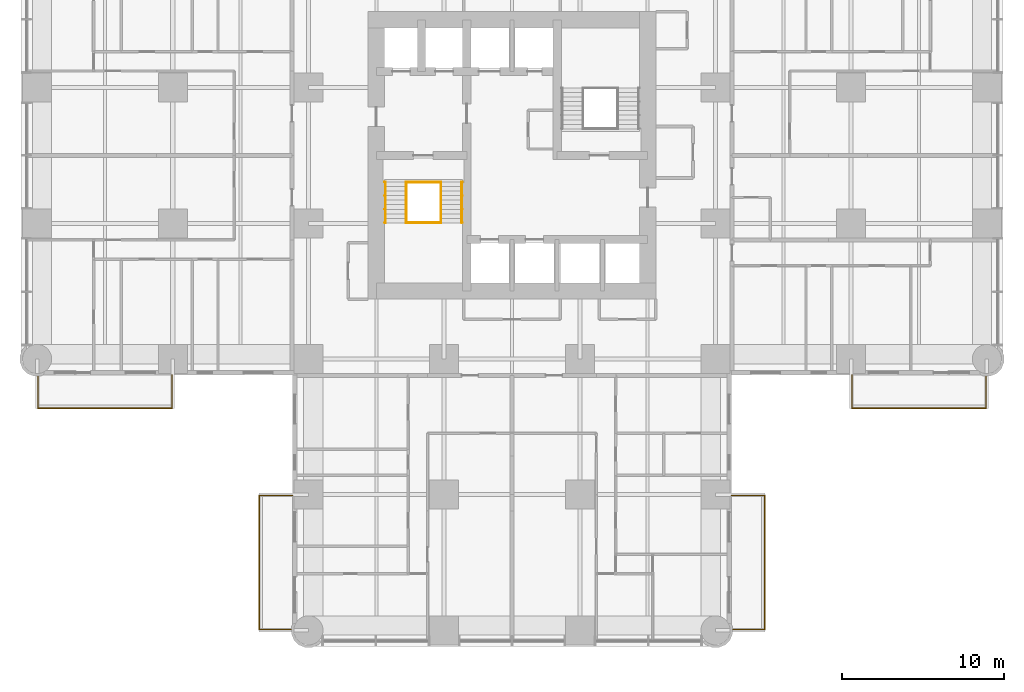
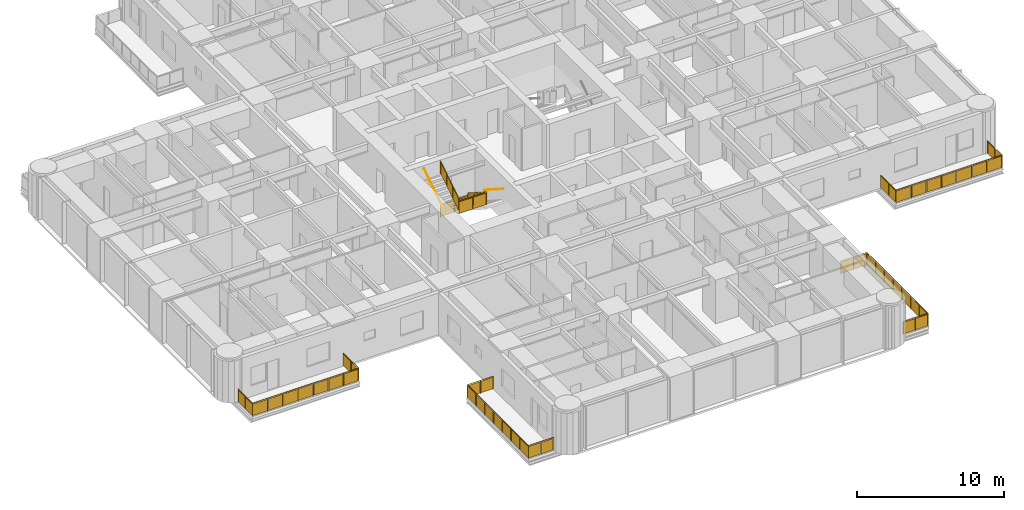
# One storey, part 16 of 17: 10 railings.
"""IFC4 building model written with IfcOpenShell, lengths in metres."""

from ifc_helpers import new_model, si_unit, direction, frame, origin, origin_2d, place, context, subcontext, project, spatial, polyline, circle, outline, extrude, material, constituent, constituent_set, type_object, element, save


model = new_model("IFC4")

# Units and contexts
model_context = context("Model", 3, precision=1e-05, world=origin(), true_north=direction((0.0, 1.0)))
body_context = subcontext(model_context, "Body", "Model", "MODEL_VIEW")
ifc_project = project(units=[si_unit("LENGTHUNIT", "METRE"), si_unit("AREAUNIT", "SQUARE_METRE"), si_unit("VOLUMEUNIT", "CUBIC_METRE"), si_unit("PLANEANGLEUNIT", "RADIAN"), si_unit("MASSUNIT", "GRAM", prefix="KILO")], contexts=[model_context])

# Site, building, storey
site_placement = place(None, origin())
site = spatial("IfcSite", under=ifc_project, at=site_placement, CompositionType="ELEMENT")
building_placement = place(site_placement, origin())
building = spatial("IfcBuilding", under=site, at=building_placement, Name="Torre Alcanfor", CompositionType="ELEMENT")
storey_placement = place(building_placement, frame((0.0, 0.0, 52.5)))
storey = spatial("IfcBuildingStorey", under=building, at=storey_placement, Name="L12", CompositionType="ELEMENT", Elevation=52.5)

# Railings
ifc_material_1 = material(Name="Laminated safety glass", Category="glass")
ifc_constituent_1 = constituent(ifc_material_1, Name="Infill")
ifc_material_2 = material(Name="Stainless steel ASTM A554 Grade MT 316L tube", Category="steel")
ifc_constituent_2 = constituent(ifc_material_2, Name="Posts and rail")
ifc_constituent_set = constituent_set(constituents=[ifc_constituent_1, ifc_constituent_2], Name="Balcony guard glass 1100")
railing_type_1 = type_object("IfcRailingType", Name="Balcony guard glass 1100", PredefinedType="BALUSTRADE", material=ifc_constituent_set)
railing_1_placement = place(storey_placement, frame((50.449951171875, 15.800048828125, 0.0)))
element("IfcRailing", 1, at=railing_1_placement, inside=storey, type_object=railing_type_1, Name="Balcony guard L12-E2", PredefinedType="BALUSTRADE", context=body_context, shape_type="SweptSolid", body=[
    extrude(circle(Radius=0.02392578125, at=origin_2d()), frame((0.0, 0.0, 1.076171875), z_axis=(0.0, -1.0, 0.0), x_axis=(1.0, 0.0, 0.0)), (0.0, 0.0, 1.0), 2.050048828125),
    extrude(circle(Radius=0.02392578125, at=origin_2d()), frame((0.0, -2.050048828125, 1.076171875), z_axis=(1.0, 0.0, 0.0), x_axis=(0.0, 1.0, 0.0)), (0.0, 0.0, 1.0), 8.300048828125),
    extrude(circle(Radius=0.02392578125, at=origin_2d()), frame((8.300048828125, -2.050048828125, 1.076171875), z_axis=(0.0, 1.0, 0.0), x_axis=(-1.0, 0.0, 0.0)), (0.0, 0.0, 1.0), 1.968994140625),
    extrude(circle(Radius=0.02099609375, at=origin_2d()), origin(), (0.0, 0.0, 1.0), 1.052001953125),
    extrude(circle(Radius=0.02099609375, at=origin_2d()), frame((0.0, -1.02490234375, 0.0)), (0.0, 0.0, 1.0), 1.052001953125),
    extrude(circle(Radius=0.02099609375, at=origin_2d()), frame((0.0, -2.050048828125, 0.0)), (0.0, 0.0, 1.0), 1.052001953125),
    extrude(circle(Radius=0.02099609375, at=origin_2d()), frame((1.185791015625, -2.050048828125, 0.0)), (0.0, 0.0, 1.0), 1.052001953125),
    extrude(circle(Radius=0.02099609375, at=origin_2d()), frame((2.371337890625, -2.050048828125, 0.0)), (0.0, 0.0, 1.0), 1.052001953125),
    extrude(circle(Radius=0.02099609375, at=origin_2d()), frame((3.55712890625, -2.050048828125, 0.0)), (0.0, 0.0, 1.0), 1.052001953125),
    extrude(circle(Radius=0.02099609375, at=origin_2d()), frame((4.742919921875, -2.050048828125, 0.0)), (0.0, 0.0, 1.0), 1.052001953125),
    extrude(circle(Radius=0.02099609375, at=origin_2d()), frame((5.9287109375, -2.050048828125, 0.0)), (0.0, 0.0, 1.0), 1.052001953125),
    extrude(circle(Radius=0.02099609375, at=origin_2d()), frame((7.1142578125, -2.050048828125, 0.0)), (0.0, 0.0, 1.0), 1.052001953125),
    extrude(circle(Radius=0.02099609375, at=origin_2d()), frame((8.300048828125, -2.050048828125, 0.0)), (0.0, 0.0, 1.0), 1.052001953125),
    extrude(circle(Radius=0.02099609375, at=origin_2d()), frame((8.300048828125, -1.0654296875, 0.0)), (0.0, 0.0, 1.0), 1.052001953125),
    extrude(circle(Radius=0.02099609375, at=origin_2d()), frame((8.300048828125, -0.0810546875, 0.0)), (0.0, 0.0, 1.0), 1.052001953125),
    extrude(outline(polyline([(0.041015625, 0.050048828125), (0.984130859375, 0.050048828125), (0.984130859375, 1.001953125), (0.041015625, 1.001953125), (0.041015625, 0.050048828125)])), frame((0.005859375, 0.0, 0.0), z_axis=(-1.0, 0.0, 0.0), x_axis=(0.0, -1.0, 0.0)), (0.0, 0.0, 1.0), 0.011962890625),
    extrude(outline(polyline([(1.06591796875, 0.050048828125), (2.009033203125, 0.050048828125), (2.009033203125, 1.001953125), (1.06591796875, 1.001953125), (1.06591796875, 0.050048828125)])), frame((0.005859375, 0.0, 0.0), z_axis=(-1.0, 0.0, 0.0), x_axis=(0.0, -1.0, 0.0)), (0.0, 0.0, 1.0), 0.011962890625),
    extrude(outline(polyline([(0.041015625, 0.050048828125), (1.144775390625, 0.050048828125), (1.144775390625, 1.001953125), (0.041015625, 1.001953125), (0.041015625, 0.050048828125)])), frame((0.0, -2.0439453125, 0.0), z_axis=(0.0, -1.0, 0.0), x_axis=(1.0, 0.0, 0.0)), (0.0, 0.0, 1.0), 0.011962890625),
    extrude(outline(polyline([(1.226806640625, 0.050048828125), (2.330322265625, 0.050048828125), (2.330322265625, 1.001953125), (1.226806640625, 1.001953125), (1.226806640625, 0.050048828125)])), frame((0.0, -2.0439453125, 0.0), z_axis=(0.0, -1.0, 0.0), x_axis=(1.0, 0.0, 0.0)), (0.0, 0.0, 1.0), 0.011962890625),
    extrude(outline(polyline([(2.412353515625, 0.050048828125), (3.51611328125, 0.050048828125), (3.51611328125, 1.001953125), (2.412353515625, 1.001953125), (2.412353515625, 0.050048828125)])), frame((0.0, -2.0439453125, 0.0), z_axis=(0.0, -1.0, 0.0), x_axis=(1.0, 0.0, 0.0)), (0.0, 0.0, 1.0), 0.011962890625),
    extrude(outline(polyline([(3.59814453125, 0.050048828125), (4.701904296875, 0.050048828125), (4.701904296875, 1.001953125), (3.59814453125, 1.001953125), (3.59814453125, 0.050048828125)])), frame((0.0, -2.0439453125, 0.0), z_axis=(0.0, -1.0, 0.0), x_axis=(1.0, 0.0, 0.0)), (0.0, 0.0, 1.0), 0.011962890625),
    extrude(outline(polyline([(4.783935546875, 0.050048828125), (5.8876953125, 0.050048828125), (5.8876953125, 1.001953125), (4.783935546875, 1.001953125), (4.783935546875, 0.050048828125)])), frame((0.0, -2.0439453125, 0.0), z_axis=(0.0, -1.0, 0.0), x_axis=(1.0, 0.0, 0.0)), (0.0, 0.0, 1.0), 0.011962890625),
    extrude(outline(polyline([(5.9697265625, 0.050048828125), (7.0732421875, 0.050048828125), (7.0732421875, 1.001953125), (5.9697265625, 1.001953125), (5.9697265625, 0.050048828125)])), frame((0.0, -2.0439453125, 0.0), z_axis=(0.0, -1.0, 0.0), x_axis=(1.0, 0.0, 0.0)), (0.0, 0.0, 1.0), 0.011962890625),
    extrude(outline(polyline([(7.1552734375, 0.050048828125), (8.259033203125, 0.050048828125), (8.259033203125, 1.001953125), (7.1552734375, 1.001953125), (7.1552734375, 0.050048828125)])), frame((0.0, -2.0439453125, 0.0), z_axis=(0.0, -1.0, 0.0), x_axis=(1.0, 0.0, 0.0)), (0.0, 0.0, 1.0), 0.011962890625),
    extrude(outline(polyline([(0.041015625, 0.050048828125), (0.943603515625, 0.050048828125), (0.943603515625, 1.001953125), (0.041015625, 1.001953125), (0.041015625, 0.050048828125)])), frame((8.2939453125, -2.050048828125, 0.0), z_axis=(1.0, 0.0, 0.0), x_axis=(0.0, 1.0, 0.0)), (0.0, 0.0, 1.0), 0.011962890625),
    extrude(outline(polyline([(1.025390625, 0.050048828125), (1.927978515625, 0.050048828125), (1.927978515625, 1.001953125), (1.025390625, 1.001953125), (1.025390625, 0.050048828125)])), frame((8.2939453125, -2.050048828125, 0.0), z_axis=(1.0, 0.0, 0.0), x_axis=(0.0, 1.0, 0.0)), (0.0, 0.0, 1.0), 0.011962890625),
])
railing_2_placement = place(storey_placement, frame((43.0, 8.35009765625, 0.0)))
element("IfcRailing", 2, at=railing_2_placement, inside=storey, type_object=railing_type_1, Name="Balcony guard L12-S1", PredefinedType="BALUSTRADE", context=body_context, shape_type="SweptSolid", body=[
    extrude(circle(Radius=0.02392578125, at=origin_2d()), frame((0.0, 0.0, 1.076171875), z_axis=(1.0, 0.0, 0.0), x_axis=(0.0, 1.0, 0.0)), (0.0, 0.0, 1.0), 2.050048828125),
    extrude(circle(Radius=0.02392578125, at=origin_2d()), frame((2.050048828125, 0.0, 1.076171875), z_axis=(0.0, -1.0, 0.0), x_axis=(1.0, 0.0, 0.0)), (0.0, 0.0, 1.0), 8.300048828125),
    extrude(circle(Radius=0.02392578125, at=origin_2d()), frame((2.050048828125, -8.300048828125, 1.076171875), z_axis=(-1.0, 0.0, 0.0), x_axis=(0.0, -1.0, 0.0)), (0.0, 0.0, 1.0), 1.968994140625),
    extrude(circle(Radius=0.02099609375, at=origin_2d()), origin(), (0.0, 0.0, 1.0), 1.052001953125),
    extrude(circle(Radius=0.02099609375, at=origin_2d()), frame((1.02490234375, 0.0, 0.0)), (0.0, 0.0, 1.0), 1.052001953125),
    extrude(circle(Radius=0.02099609375, at=origin_2d()), frame((2.050048828125, 0.0, 0.0)), (0.0, 0.0, 1.0), 1.052001953125),
    extrude(circle(Radius=0.02099609375, at=origin_2d()), frame((2.050048828125, -1.185791015625, 0.0)), (0.0, 0.0, 1.0), 1.052001953125),
    extrude(circle(Radius=0.02099609375, at=origin_2d()), frame((2.050048828125, -2.371337890625, 0.0)), (0.0, 0.0, 1.0), 1.052001953125),
    extrude(circle(Radius=0.02099609375, at=origin_2d()), frame((2.050048828125, -3.55712890625, 0.0)), (0.0, 0.0, 1.0), 1.052001953125),
    extrude(circle(Radius=0.02099609375, at=origin_2d()), frame((2.050048828125, -4.742919921875, 0.0)), (0.0, 0.0, 1.0), 1.052001953125),
    extrude(circle(Radius=0.02099609375, at=origin_2d()), frame((2.050048828125, -5.9287109375, 0.0)), (0.0, 0.0, 1.0), 1.052001953125),
    extrude(circle(Radius=0.02099609375, at=origin_2d()), frame((2.050048828125, -7.1142578125, 0.0)), (0.0, 0.0, 1.0), 1.052001953125),
    extrude(circle(Radius=0.02099609375, at=origin_2d()), frame((2.050048828125, -8.300048828125, 0.0)), (0.0, 0.0, 1.0), 1.052001953125),
    extrude(circle(Radius=0.02099609375, at=origin_2d()), frame((1.0654296875, -8.300048828125, 0.0)), (0.0, 0.0, 1.0), 1.052001953125),
    extrude(circle(Radius=0.02099609375, at=origin_2d()), frame((0.0810546875, -8.300048828125, 0.0)), (0.0, 0.0, 1.0), 1.052001953125),
    extrude(outline(polyline([(0.041015625, 0.050048828125), (0.984130859375, 0.050048828125), (0.984130859375, 1.001953125), (0.041015625, 1.001953125), (0.041015625, 0.050048828125)])), frame((0.0, 0.005859375, 0.0), z_axis=(0.0, -1.0, 0.0), x_axis=(1.0, 0.0, 0.0)), (0.0, 0.0, 1.0), 0.011962890625),
    extrude(outline(polyline([(1.06591796875, 0.050048828125), (2.009033203125, 0.050048828125), (2.009033203125, 1.001953125), (1.06591796875, 1.001953125), (1.06591796875, 0.050048828125)])), frame((0.0, 0.005859375, 0.0), z_axis=(0.0, -1.0, 0.0), x_axis=(1.0, 0.0, 0.0)), (0.0, 0.0, 1.0), 0.011962890625),
    extrude(outline(polyline([(0.041015625, 0.050048828125), (1.144775390625, 0.050048828125), (1.144775390625, 1.001953125), (0.041015625, 1.001953125), (0.041015625, 0.050048828125)])), frame((2.05615234375, 0.0, 0.0), z_axis=(-1.0, 0.0, 0.0), x_axis=(0.0, -1.0, 0.0)), (0.0, 0.0, 1.0), 0.011962890625),
    extrude(outline(polyline([(1.226806640625, 0.050048828125), (2.330322265625, 0.050048828125), (2.330322265625, 1.001953125), (1.226806640625, 1.001953125), (1.226806640625, 0.050048828125)])), frame((2.05615234375, 0.0, 0.0), z_axis=(-1.0, 0.0, 0.0), x_axis=(0.0, -1.0, 0.0)), (0.0, 0.0, 1.0), 0.011962890625),
    extrude(outline(polyline([(2.412353515625, 0.050048828125), (3.51611328125, 0.050048828125), (3.51611328125, 1.001953125), (2.412353515625, 1.001953125), (2.412353515625, 0.050048828125)])), frame((2.05615234375, 0.0, 0.0), z_axis=(-1.0, 0.0, 0.0), x_axis=(0.0, -1.0, 0.0)), (0.0, 0.0, 1.0), 0.011962890625),
    extrude(outline(polyline([(3.59814453125, 0.050048828125), (4.701904296875, 0.050048828125), (4.701904296875, 1.001953125), (3.59814453125, 1.001953125), (3.59814453125, 0.050048828125)])), frame((2.05615234375, 0.0, 0.0), z_axis=(-1.0, 0.0, 0.0), x_axis=(0.0, -1.0, 0.0)), (0.0, 0.0, 1.0), 0.011962890625),
    extrude(outline(polyline([(4.783935546875, 0.050048828125), (5.8876953125, 0.050048828125), (5.8876953125, 1.001953125), (4.783935546875, 1.001953125), (4.783935546875, 0.050048828125)])), frame((2.05615234375, 0.0, 0.0), z_axis=(-1.0, 0.0, 0.0), x_axis=(0.0, -1.0, 0.0)), (0.0, 0.0, 1.0), 0.011962890625),
    extrude(outline(polyline([(5.9697265625, 0.050048828125), (7.0732421875, 0.050048828125), (7.0732421875, 1.001953125), (5.9697265625, 1.001953125), (5.9697265625, 0.050048828125)])), frame((2.05615234375, 0.0, 0.0), z_axis=(-1.0, 0.0, 0.0), x_axis=(0.0, -1.0, 0.0)), (0.0, 0.0, 1.0), 0.011962890625),
    extrude(outline(polyline([(7.1552734375, 0.050048828125), (8.259033203125, 0.050048828125), (8.259033203125, 1.001953125), (7.1552734375, 1.001953125), (7.1552734375, 0.050048828125)])), frame((2.05615234375, 0.0, 0.0), z_axis=(-1.0, 0.0, 0.0), x_axis=(0.0, -1.0, 0.0)), (0.0, 0.0, 1.0), 0.011962890625),
    extrude(outline(polyline([(0.041015625, 0.050048828125), (0.943603515625, 0.050048828125), (0.943603515625, 1.001953125), (0.041015625, 1.001953125), (0.041015625, 0.050048828125)])), frame((2.050048828125, -8.30615234375, 0.0), z_axis=(0.0, 1.0, 0.0), x_axis=(-1.0, 0.0, 0.0)), (0.0, 0.0, 1.0), 0.011962890625),
    extrude(outline(polyline([(1.025390625, 0.050048828125), (1.927978515625, 0.050048828125), (1.927978515625, 1.001953125), (1.025390625, 1.001953125), (1.025390625, 0.050048828125)])), frame((2.050048828125, -8.30615234375, 0.0), z_axis=(0.0, 1.0, 0.0), x_axis=(-1.0, 0.0, 0.0)), (0.0, 0.0, 1.0), 0.011962890625),
])
railing_3_placement = place(storey_placement, frame((15.800048828125, 8.35009765625, 0.0)))
element("IfcRailing", 3, at=railing_3_placement, inside=storey, type_object=railing_type_1, Name="Balcony guard L12-S2", PredefinedType="BALUSTRADE", context=body_context, shape_type="SweptSolid", body=[
    extrude(circle(Radius=0.02392578125, at=origin_2d()), frame((0.0, 0.0, 1.076171875), z_axis=(-1.0, 0.0, 0.0), x_axis=(0.0, -1.0, 0.0)), (0.0, 0.0, 1.0), 2.050048828125),
    extrude(circle(Radius=0.02392578125, at=origin_2d()), frame((-2.050048828125, 0.0, 1.076171875), z_axis=(0.0, -1.0, 0.0), x_axis=(1.0, 0.0, 0.0)), (0.0, 0.0, 1.0), 8.300048828125),
    extrude(circle(Radius=0.02392578125, at=origin_2d()), frame((-2.050048828125, -8.300048828125, 1.076171875), z_axis=(1.0, 0.0, 0.0), x_axis=(0.0, 1.0, 0.0)), (0.0, 0.0, 1.0), 1.968994140625),
    extrude(circle(Radius=0.02099609375, at=origin_2d()), origin(), (0.0, 0.0, 1.0), 1.052001953125),
    extrude(circle(Radius=0.02099609375, at=origin_2d()), frame((-1.02490234375, 0.0, 0.0)), (0.0, 0.0, 1.0), 1.052001953125),
    extrude(circle(Radius=0.02099609375, at=origin_2d()), frame((-2.050048828125, 0.0, 0.0)), (0.0, 0.0, 1.0), 1.052001953125),
    extrude(circle(Radius=0.02099609375, at=origin_2d()), frame((-2.050048828125, -1.185791015625, 0.0)), (0.0, 0.0, 1.0), 1.052001953125),
    extrude(circle(Radius=0.02099609375, at=origin_2d()), frame((-2.050048828125, -2.371337890625, 0.0)), (0.0, 0.0, 1.0), 1.052001953125),
    extrude(circle(Radius=0.02099609375, at=origin_2d()), frame((-2.050048828125, -3.55712890625, 0.0)), (0.0, 0.0, 1.0), 1.052001953125),
    extrude(circle(Radius=0.02099609375, at=origin_2d()), frame((-2.050048828125, -4.742919921875, 0.0)), (0.0, 0.0, 1.0), 1.052001953125),
    extrude(circle(Radius=0.02099609375, at=origin_2d()), frame((-2.050048828125, -5.9287109375, 0.0)), (0.0, 0.0, 1.0), 1.052001953125),
    extrude(circle(Radius=0.02099609375, at=origin_2d()), frame((-2.050048828125, -7.1142578125, 0.0)), (0.0, 0.0, 1.0), 1.052001953125),
    extrude(circle(Radius=0.02099609375, at=origin_2d()), frame((-2.050048828125, -8.300048828125, 0.0)), (0.0, 0.0, 1.0), 1.052001953125),
    extrude(circle(Radius=0.02099609375, at=origin_2d()), frame((-1.0654296875, -8.300048828125, 0.0)), (0.0, 0.0, 1.0), 1.052001953125),
    extrude(circle(Radius=0.02099609375, at=origin_2d()), frame((-0.0810546875, -8.300048828125, 0.0)), (0.0, 0.0, 1.0), 1.052001953125),
    extrude(outline(polyline([(0.041015625, 0.050048828125), (0.984130859375, 0.050048828125), (0.984130859375, 1.001953125), (0.041015625, 1.001953125), (0.041015625, 0.050048828125)])), frame((0.0, -0.005859375, 0.0), z_axis=(0.0, 1.0, 0.0), x_axis=(-1.0, 0.0, 0.0)), (0.0, 0.0, 1.0), 0.011962890625),
    extrude(outline(polyline([(1.06591796875, 0.050048828125), (2.009033203125, 0.050048828125), (2.009033203125, 1.001953125), (1.06591796875, 1.001953125), (1.06591796875, 0.050048828125)])), frame((0.0, -0.005859375, 0.0), z_axis=(0.0, 1.0, 0.0), x_axis=(-1.0, 0.0, 0.0)), (0.0, 0.0, 1.0), 0.011962890625),
    extrude(outline(polyline([(0.041015625, 0.050048828125), (1.144775390625, 0.050048828125), (1.144775390625, 1.001953125), (0.041015625, 1.001953125), (0.041015625, 0.050048828125)])), frame((-2.0439453125, 0.0, 0.0), z_axis=(-1.0, 0.0, 0.0), x_axis=(0.0, -1.0, 0.0)), (0.0, 0.0, 1.0), 0.011962890625),
    extrude(outline(polyline([(1.226806640625, 0.050048828125), (2.330322265625, 0.050048828125), (2.330322265625, 1.001953125), (1.226806640625, 1.001953125), (1.226806640625, 0.050048828125)])), frame((-2.0439453125, 0.0, 0.0), z_axis=(-1.0, 0.0, 0.0), x_axis=(0.0, -1.0, 0.0)), (0.0, 0.0, 1.0), 0.011962890625),
    extrude(outline(polyline([(2.412353515625, 0.050048828125), (3.51611328125, 0.050048828125), (3.51611328125, 1.001953125), (2.412353515625, 1.001953125), (2.412353515625, 0.050048828125)])), frame((-2.0439453125, 0.0, 0.0), z_axis=(-1.0, 0.0, 0.0), x_axis=(0.0, -1.0, 0.0)), (0.0, 0.0, 1.0), 0.011962890625),
    extrude(outline(polyline([(3.59814453125, 0.050048828125), (4.701904296875, 0.050048828125), (4.701904296875, 1.001953125), (3.59814453125, 1.001953125), (3.59814453125, 0.050048828125)])), frame((-2.0439453125, 0.0, 0.0), z_axis=(-1.0, 0.0, 0.0), x_axis=(0.0, -1.0, 0.0)), (0.0, 0.0, 1.0), 0.011962890625),
    extrude(outline(polyline([(4.783935546875, 0.050048828125), (5.8876953125, 0.050048828125), (5.8876953125, 1.001953125), (4.783935546875, 1.001953125), (4.783935546875, 0.050048828125)])), frame((-2.0439453125, 0.0, 0.0), z_axis=(-1.0, 0.0, 0.0), x_axis=(0.0, -1.0, 0.0)), (0.0, 0.0, 1.0), 0.011962890625),
    extrude(outline(polyline([(5.9697265625, 0.050048828125), (7.0732421875, 0.050048828125), (7.0732421875, 1.001953125), (5.9697265625, 1.001953125), (5.9697265625, 0.050048828125)])), frame((-2.0439453125, 0.0, 0.0), z_axis=(-1.0, 0.0, 0.0), x_axis=(0.0, -1.0, 0.0)), (0.0, 0.0, 1.0), 0.011962890625),
    extrude(outline(polyline([(7.1552734375, 0.050048828125), (8.259033203125, 0.050048828125), (8.259033203125, 1.001953125), (7.1552734375, 1.001953125), (7.1552734375, 0.050048828125)])), frame((-2.0439453125, 0.0, 0.0), z_axis=(-1.0, 0.0, 0.0), x_axis=(0.0, -1.0, 0.0)), (0.0, 0.0, 1.0), 0.011962890625),
    extrude(outline(polyline([(0.041015625, 0.050048828125), (0.943603515625, 0.050048828125), (0.943603515625, 1.001953125), (0.041015625, 1.001953125), (0.041015625, 0.050048828125)])), frame((-2.050048828125, -8.2939453125, 0.0), z_axis=(0.0, -1.0, 0.0), x_axis=(1.0, 0.0, 0.0)), (0.0, 0.0, 1.0), 0.011962890625),
    extrude(outline(polyline([(1.025390625, 0.050048828125), (1.927978515625, 0.050048828125), (1.927978515625, 1.001953125), (1.025390625, 1.001953125), (1.025390625, 0.050048828125)])), frame((-2.050048828125, -8.2939453125, 0.0), z_axis=(0.0, -1.0, 0.0), x_axis=(1.0, 0.0, 0.0)), (0.0, 0.0, 1.0), 0.011962890625),
])
railing_4_placement = place(storey_placement, frame((8.35009765625, 15.800048828125, 0.0)))
element("IfcRailing", 4, at=railing_4_placement, inside=storey, type_object=railing_type_1, Name="Balcony guard L12-W1", PredefinedType="BALUSTRADE", context=body_context, shape_type="SweptSolid", body=[
    extrude(circle(Radius=0.02392578125, at=origin_2d()), frame((0.0, 0.0, 1.076171875), z_axis=(0.0, -1.0, 0.0), x_axis=(1.0, 0.0, 0.0)), (0.0, 0.0, 1.0), 2.050048828125),
    extrude(circle(Radius=0.02392578125, at=origin_2d()), frame((0.0, -2.050048828125, 1.076171875), z_axis=(-1.0, 0.0, 0.0), x_axis=(0.0, -1.0, 0.0)), (0.0, 0.0, 1.0), 8.300048828125),
    extrude(circle(Radius=0.02392578125, at=origin_2d()), frame((-8.300048828125, -2.050048828125, 1.076171875), z_axis=(0.0, 1.0, 0.0), x_axis=(-1.0, 0.0, 0.0)), (0.0, 0.0, 1.0), 1.968994140625),
    extrude(circle(Radius=0.02099609375, at=origin_2d()), origin(), (0.0, 0.0, 1.0), 1.052001953125),
    extrude(circle(Radius=0.02099609375, at=origin_2d()), frame((0.0, -1.02490234375, 0.0)), (0.0, 0.0, 1.0), 1.052001953125),
    extrude(circle(Radius=0.02099609375, at=origin_2d()), frame((0.0, -2.050048828125, 0.0)), (0.0, 0.0, 1.0), 1.052001953125),
    extrude(circle(Radius=0.02099609375, at=origin_2d()), frame((-1.185791015625, -2.050048828125, 0.0)), (0.0, 0.0, 1.0), 1.052001953125),
    extrude(circle(Radius=0.02099609375, at=origin_2d()), frame((-2.371337890625, -2.050048828125, 0.0)), (0.0, 0.0, 1.0), 1.052001953125),
    extrude(circle(Radius=0.02099609375, at=origin_2d()), frame((-3.55712890625, -2.050048828125, 0.0)), (0.0, 0.0, 1.0), 1.052001953125),
    extrude(circle(Radius=0.02099609375, at=origin_2d()), frame((-4.742919921875, -2.050048828125, 0.0)), (0.0, 0.0, 1.0), 1.052001953125),
    extrude(circle(Radius=0.02099609375, at=origin_2d()), frame((-5.9287109375, -2.050048828125, 0.0)), (0.0, 0.0, 1.0), 1.052001953125),
    extrude(circle(Radius=0.02099609375, at=origin_2d()), frame((-7.1142578125, -2.050048828125, 0.0)), (0.0, 0.0, 1.0), 1.052001953125),
    extrude(circle(Radius=0.02099609375, at=origin_2d()), frame((-8.300048828125, -2.050048828125, 0.0)), (0.0, 0.0, 1.0), 1.052001953125),
    extrude(circle(Radius=0.02099609375, at=origin_2d()), frame((-8.300048828125, -1.0654296875, 0.0)), (0.0, 0.0, 1.0), 1.052001953125),
    extrude(circle(Radius=0.02099609375, at=origin_2d()), frame((-8.300048828125, -0.0810546875, 0.0)), (0.0, 0.0, 1.0), 1.052001953125),
    extrude(outline(polyline([(0.041015625, 0.050048828125), (0.984130859375, 0.050048828125), (0.984130859375, 1.001953125), (0.041015625, 1.001953125), (0.041015625, 0.050048828125)])), frame((0.005859375, 0.0, 0.0), z_axis=(-1.0, 0.0, 0.0), x_axis=(0.0, -1.0, 0.0)), (0.0, 0.0, 1.0), 0.011962890625),
    extrude(outline(polyline([(1.06591796875, 0.050048828125), (2.009033203125, 0.050048828125), (2.009033203125, 1.001953125), (1.06591796875, 1.001953125), (1.06591796875, 0.050048828125)])), frame((0.005859375, 0.0, 0.0), z_axis=(-1.0, 0.0, 0.0), x_axis=(0.0, -1.0, 0.0)), (0.0, 0.0, 1.0), 0.011962890625),
    extrude(outline(polyline([(0.041015625, 0.050048828125), (1.144775390625, 0.050048828125), (1.144775390625, 1.001953125), (0.041015625, 1.001953125), (0.041015625, 0.050048828125)])), frame((0.0, -2.05615234375, 0.0), z_axis=(0.0, 1.0, 0.0), x_axis=(-1.0, 0.0, 0.0)), (0.0, 0.0, 1.0), 0.011962890625),
    extrude(outline(polyline([(1.226806640625, 0.050048828125), (2.330322265625, 0.050048828125), (2.330322265625, 1.001953125), (1.226806640625, 1.001953125), (1.226806640625, 0.050048828125)])), frame((0.0, -2.05615234375, 0.0), z_axis=(0.0, 1.0, 0.0), x_axis=(-1.0, 0.0, 0.0)), (0.0, 0.0, 1.0), 0.011962890625),
    extrude(outline(polyline([(2.412353515625, 0.050048828125), (3.51611328125, 0.050048828125), (3.51611328125, 1.001953125), (2.412353515625, 1.001953125), (2.412353515625, 0.050048828125)])), frame((0.0, -2.05615234375, 0.0), z_axis=(0.0, 1.0, 0.0), x_axis=(-1.0, 0.0, 0.0)), (0.0, 0.0, 1.0), 0.011962890625),
    extrude(outline(polyline([(3.59814453125, 0.050048828125), (4.701904296875, 0.050048828125), (4.701904296875, 1.001953125), (3.59814453125, 1.001953125), (3.59814453125, 0.050048828125)])), frame((0.0, -2.05615234375, 0.0), z_axis=(0.0, 1.0, 0.0), x_axis=(-1.0, 0.0, 0.0)), (0.0, 0.0, 1.0), 0.011962890625),
    extrude(outline(polyline([(4.783935546875, 0.050048828125), (5.8876953125, 0.050048828125), (5.8876953125, 1.001953125), (4.783935546875, 1.001953125), (4.783935546875, 0.050048828125)])), frame((0.0, -2.05615234375, 0.0), z_axis=(0.0, 1.0, 0.0), x_axis=(-1.0, 0.0, 0.0)), (0.0, 0.0, 1.0), 0.011962890625),
    extrude(outline(polyline([(5.9697265625, 0.050048828125), (7.0732421875, 0.050048828125), (7.0732421875, 1.001953125), (5.9697265625, 1.001953125), (5.9697265625, 0.050048828125)])), frame((0.0, -2.05615234375, 0.0), z_axis=(0.0, 1.0, 0.0), x_axis=(-1.0, 0.0, 0.0)), (0.0, 0.0, 1.0), 0.011962890625),
    extrude(outline(polyline([(7.1552734375, 0.050048828125), (8.259033203125, 0.050048828125), (8.259033203125, 1.001953125), (7.1552734375, 1.001953125), (7.1552734375, 0.050048828125)])), frame((0.0, -2.05615234375, 0.0), z_axis=(0.0, 1.0, 0.0), x_axis=(-1.0, 0.0, 0.0)), (0.0, 0.0, 1.0), 0.011962890625),
    extrude(outline(polyline([(0.041015625, 0.050048828125), (0.943603515625, 0.050048828125), (0.943603515625, 1.001953125), (0.041015625, 1.001953125), (0.041015625, 0.050048828125)])), frame((-8.30615234375, -2.050048828125, 0.0), z_axis=(1.0, 0.0, 0.0), x_axis=(0.0, 1.0, 0.0)), (0.0, 0.0, 1.0), 0.011962890625),
    extrude(outline(polyline([(1.025390625, 0.050048828125), (1.927978515625, 0.050048828125), (1.927978515625, 1.001953125), (1.025390625, 1.001953125), (1.025390625, 0.050048828125)])), frame((-8.30615234375, -2.050048828125, 0.0), z_axis=(1.0, 0.0, 0.0), x_axis=(0.0, 1.0, 0.0)), (0.0, 0.0, 1.0), 0.011962890625),
])
ifc_material_3 = material(Name="Steel ASTM A500 Grade C hollow sections", Category="steel")
railing_type_2 = type_object("IfcRailingType", Name="Stair guard and handrail 1100", PredefinedType="GUARDRAIL", material=ifc_material_3)
railing_5_placement = place(storey_placement, frame((25.0, 27.75, 0.179931640625)))
element("IfcRailing", 5, at=railing_5_placement, inside=storey, type_object=railing_type_2, Name="Stair guard S1 L12 flight 1", PredefinedType="GUARDRAIL", context=body_context, shape_type="SweptSolid", body=[
    extrude(circle(Radius=0.02392578125, at=origin_2d()), frame((0.0, 0.0, 1.076171875), z_axis=(0.0, -0.841162588446, 0.540782303519), x_axis=(1.0, 0.0, 0.0)), (0.0, 0.0, 1.0), 2.995849609375),
    extrude(circle(Radius=0.02099609375, at=origin_2d()), origin(), (0.0, 0.0, 1.0), 1.052001953125),
    extrude(circle(Radius=0.02099609375, at=origin_2d()), frame((0.0, -0.840087890625, 0.5400390625)), (0.0, 0.0, 1.0), 1.052001953125),
    extrude(circle(Radius=0.02099609375, at=origin_2d()), frame((0.0, -1.679931640625, 1.080078125)), (0.0, 0.0, 1.0), 1.052001953125),
    extrude(circle(Radius=0.02099609375, at=origin_2d()), frame((0.0, -2.52001953125, 1.6201171875)), (0.0, 0.0, 1.0), 1.052001953125),
    extrude(outline(polyline([(0.041015625, 0.076416015625), (0.799072265625, 0.563720703125), (0.799072265625, 1.515625), (0.041015625, 1.0283203125), (0.041015625, 0.076416015625)])), frame((0.005859375, 0.0, 0.0), z_axis=(-1.0, 0.0, 0.0), x_axis=(0.0, -1.0, 0.0)), (0.0, 0.0, 1.0), 0.011962890625),
    extrude(outline(polyline([(0.881103515625, 0.616455078125), (1.638916015625, 1.103759765625), (1.638916015625, 2.0556640625), (0.881103515625, 1.568359375), (0.881103515625, 0.616455078125)])), frame((0.005859375, 0.0, 0.0), z_axis=(-1.0, 0.0, 0.0), x_axis=(0.0, -1.0, 0.0)), (0.0, 0.0, 1.0), 0.011962890625),
    extrude(outline(polyline([(1.720947265625, 1.156494140625), (2.47900390625, 1.643798828125), (2.47900390625, 2.595703125), (1.720947265625, 2.1083984375), (1.720947265625, 1.156494140625)])), frame((0.005859375, 0.0, 0.0), z_axis=(-1.0, 0.0, 0.0), x_axis=(0.0, -1.0, 0.0)), (0.0, 0.0, 1.0), 0.011962890625),
])
railing_6_placement = place(storey_placement, frame((22.85009765625, 25.22998046875, 1.97998046875)))
element("IfcRailing", 6, at=railing_6_placement, inside=storey, type_object=railing_type_2, Name="Stair guard S1 L12 flight 2", PredefinedType="GUARDRAIL", context=body_context, shape_type="SweptSolid", body=[
    extrude(circle(Radius=0.02392578125, at=origin_2d()), frame((0.0, 0.0, 1.076171875), z_axis=(0.0, 0.841162588446, 0.540782303519), x_axis=(-1.0, 0.0, 0.0)), (0.0, 0.0, 1.0), 2.995849609375),
    extrude(circle(Radius=0.02099609375, at=origin_2d()), origin(), (0.0, 0.0, 1.0), 1.052001953125),
    extrude(circle(Radius=0.02099609375, at=origin_2d()), frame((0.0, 0.840087890625, 0.5400390625)), (0.0, 0.0, 1.0), 1.052001953125),
    extrude(circle(Radius=0.02099609375, at=origin_2d()), frame((0.0, 1.679931640625, 1.080078125)), (0.0, 0.0, 1.0), 1.052001953125),
    extrude(circle(Radius=0.02099609375, at=origin_2d()), frame((0.0, 2.52001953125, 1.6201171875)), (0.0, 0.0, 1.0), 1.052001953125),
    extrude(outline(polyline([(0.041015625, 0.076416015625), (0.799072265625, 0.563720703125), (0.799072265625, 1.515625), (0.041015625, 1.0283203125), (0.041015625, 0.076416015625)])), frame((-0.005859375, 0.0, 0.0), z_axis=(1.0, 0.0, 0.0), x_axis=(0.0, 1.0, 0.0)), (0.0, 0.0, 1.0), 0.011962890625),
    extrude(outline(polyline([(0.881103515625, 0.616455078125), (1.638916015625, 1.103759765625), (1.638916015625, 2.0556640625), (0.881103515625, 1.568359375), (0.881103515625, 0.616455078125)])), frame((-0.005859375, 0.0, 0.0), z_axis=(1.0, 0.0, 0.0), x_axis=(0.0, 1.0, 0.0)), (0.0, 0.0, 1.0), 0.011962890625),
    extrude(outline(polyline([(1.720947265625, 1.156494140625), (2.47900390625, 1.643798828125), (2.47900390625, 2.595703125), (1.720947265625, 2.1083984375), (1.720947265625, 1.156494140625)])), frame((-0.005859375, 0.0, 0.0), z_axis=(1.0, 0.0, 0.0), x_axis=(0.0, 1.0, 0.0)), (0.0, 0.0, 1.0), 0.011962890625),
])
for number, where, name in (
    (7, (22.85009765625, 27.75, 0.0), "Stair well guard S1 L12 floor landing"),
    (8, (22.85009765625, 25.22998046875, 1.800048828125), "Stair well guard S1 L12 half landing"),
):
    element("IfcRailing", number, at=place(storey_placement, frame(where)), inside=storey, type_object=railing_type_2, Name=name, PredefinedType="GUARDRAIL", context=body_context, shape_type="SweptSolid", body=[
        extrude(circle(Radius=0.02392578125, at=origin_2d()), frame((0.0, 0.0, 1.076171875), z_axis=(1.0, 0.0, 0.0), x_axis=(0.0, 1.0, 0.0)), (0.0, 0.0, 1.0), 2.14990234375),
        extrude(circle(Radius=0.02099609375, at=origin_2d()), origin(), (0.0, 0.0, 1.0), 1.052001953125),
        extrude(circle(Radius=0.02099609375, at=origin_2d()), frame((1.074951171875, 0.0, 0.0)), (0.0, 0.0, 1.0), 1.052001953125),
        extrude(circle(Radius=0.02099609375, at=origin_2d()), frame((2.14990234375, 0.0, 0.0)), (0.0, 0.0, 1.0), 1.052001953125),
        extrude(outline(polyline([(0.041015625, 0.050048828125), (1.033935546875, 0.050048828125), (1.033935546875, 1.001953125), (0.041015625, 1.001953125), (0.041015625, 0.050048828125)])), frame((0.0, 0.005859375, 0.0), z_axis=(0.0, -1.0, 0.0), x_axis=(1.0, 0.0, 0.0)), (0.0, 0.0, 1.0), 0.011962890625),
        extrude(outline(polyline([(1.115966796875, 0.050048828125), (2.10888671875, 0.050048828125), (2.10888671875, 1.001953125), (1.115966796875, 1.001953125), (1.115966796875, 0.050048828125)])), frame((0.0, 0.005859375, 0.0), z_axis=(0.0, -1.0, 0.0), x_axis=(1.0, 0.0, 0.0)), (0.0, 0.0, 1.0), 0.011962890625),
    ])
ifc_material_4 = material(Name="Steel ASTM A500 Grade C hollow sections", Category="steel")
railing_type_3 = type_object("IfcRailingType", Name="Stair wall handrail 900", PredefinedType="HANDRAIL", material=ifc_material_4)
railing_7_placement = place(storey_placement, frame((26.284912109375, 27.75, 0.179931640625)))
element("IfcRailing", 9, at=railing_7_placement, inside=storey, type_object=railing_type_3, Name="Stair handrail S1 L12 flight 1", PredefinedType="HANDRAIL", context=body_context, shape_type="SweptSolid", body=[
    extrude(circle(Radius=0.02392578125, at=origin_2d()), frame((0.0, 0.0, 0.8759765625), z_axis=(0.0, -0.841162588446, 0.540782303519), x_axis=(1.0, 0.0, 0.0)), (0.0, 0.0, 1.0), 2.995849609375),
    extrude(circle(Radius=0.008056640625, at=origin_2d()), frame((0.0, 0.0, 0.8759765625), z_axis=(1.0, 0.0, 0.0), x_axis=(0.0, 0.0, 1.0)), (0.0, 0.0, 1.0), 0.06494140625),
    extrude(circle(Radius=0.008056640625, at=origin_2d()), frame((0.0, -0.840087890625, 1.416015625), z_axis=(1.0, 0.0, 0.0), x_axis=(0.0, 0.0, 1.0)), (0.0, 0.0, 1.0), 0.06494140625),
    extrude(circle(Radius=0.008056640625, at=origin_2d()), frame((0.0, -1.679931640625, 1.9560546875), z_axis=(1.0, 0.0, 0.0), x_axis=(0.0, 0.0, 1.0)), (0.0, 0.0, 1.0), 0.06494140625),
    extrude(circle(Radius=0.008056640625, at=origin_2d()), frame((0.0, -2.52001953125, 2.49609375), z_axis=(1.0, 0.0, 0.0), x_axis=(0.0, 0.0, 1.0)), (0.0, 0.0, 1.0), 0.06494140625),
])
railing_8_placement = place(storey_placement, frame((21.56494140625, 25.22998046875, 1.97998046875)))
element("IfcRailing", 10, at=railing_8_placement, inside=storey, type_object=railing_type_3, Name="Stair handrail S1 L12 flight 2", PredefinedType="HANDRAIL", context=body_context, shape_type="SweptSolid", body=[
    extrude(circle(Radius=0.02392578125, at=origin_2d()), frame((0.0, 0.0, 0.8759765625), z_axis=(0.0, 0.841162588446, 0.540782303519), x_axis=(-1.0, 0.0, 0.0)), (0.0, 0.0, 1.0), 2.995849609375),
    extrude(circle(Radius=0.008056640625, at=origin_2d()), frame((0.0, 0.0, 0.8759765625), z_axis=(-1.0, 0.0, 0.0), x_axis=(0.0, 0.0, 1.0)), (0.0, 0.0, 1.0), 0.06494140625),
    extrude(circle(Radius=0.008056640625, at=origin_2d()), frame((0.0, 0.840087890625, 1.416015625), z_axis=(-1.0, 0.0, 0.0), x_axis=(0.0, 0.0, 1.0)), (0.0, 0.0, 1.0), 0.06494140625),
    extrude(circle(Radius=0.008056640625, at=origin_2d()), frame((0.0, 1.679931640625, 1.9560546875), z_axis=(-1.0, 0.0, 0.0), x_axis=(0.0, 0.0, 1.0)), (0.0, 0.0, 1.0), 0.06494140625),
    extrude(circle(Radius=0.008056640625, at=origin_2d()), frame((0.0, 2.52001953125, 2.49609375), z_axis=(-1.0, 0.0, 0.0), x_axis=(0.0, 0.0, 1.0)), (0.0, 0.0, 1.0), 0.06494140625),
])

save(model, "model.ifc")
